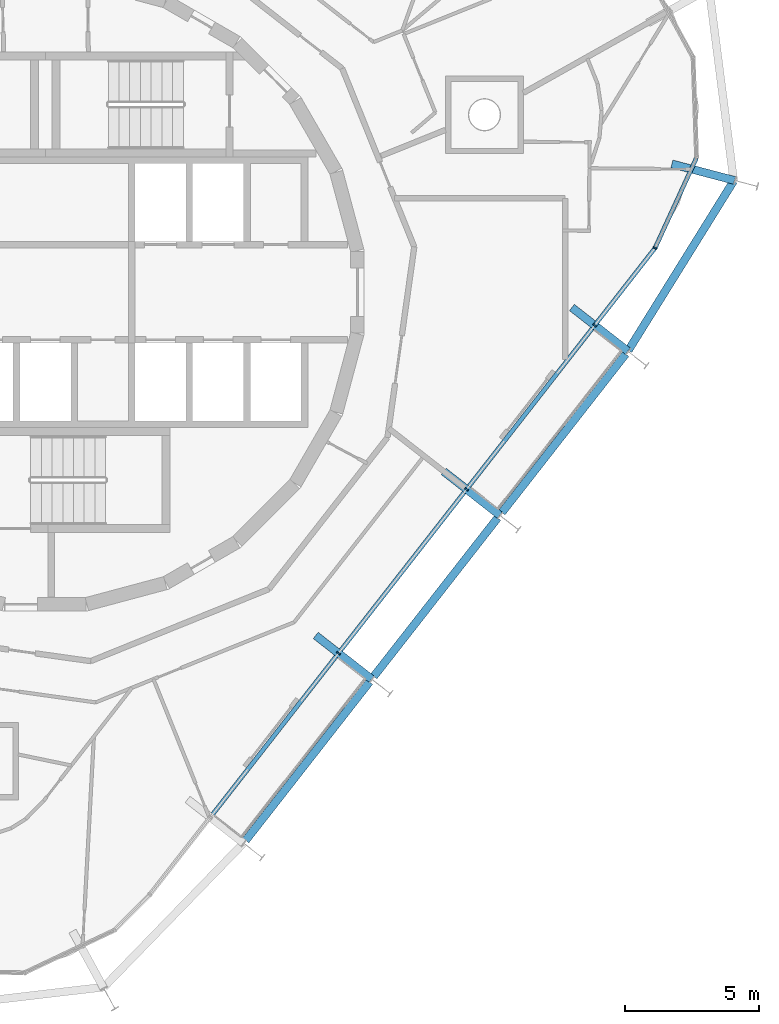
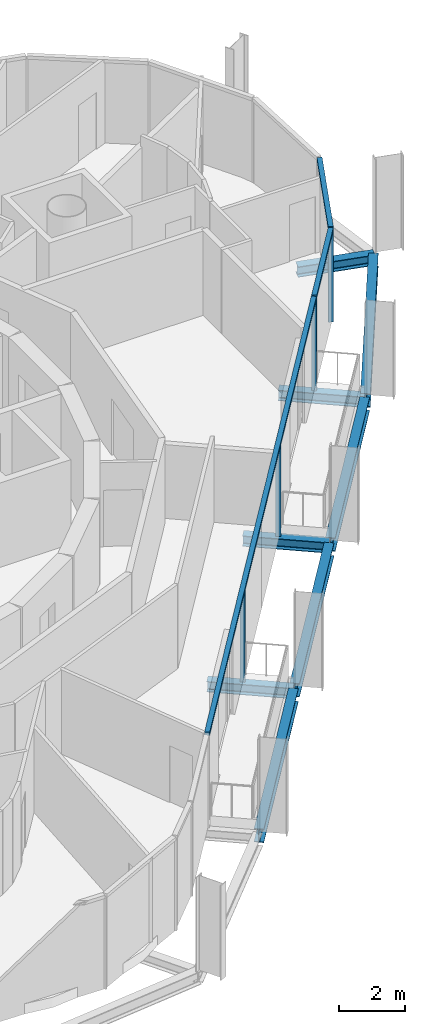
# One storey, part 4 of 15: 8 beams, 7 members, 2 elements without a shape of their own.
"""IFC4 building model written with IfcOpenShell, lengths in metres."""

from ifc_helpers import new_model, si_unit, direction, frame, origin, origin_2d, place, context, subcontext, project, spatial, rectangle, i_section, extrude, material, layer, layer_set, material_profile, profile_set, type_object, element, aggregate, save


model = new_model("IFC4")

# Units and contexts
model_context = context("Model", 3, precision=1e-05, world=origin(), true_north=direction((0.0, 1.0)))
body_context = subcontext(model_context, "Body", "Model", "MODEL_VIEW")
ifc_project = project(units=[si_unit("LENGTHUNIT", "METRE"), si_unit("AREAUNIT", "SQUARE_METRE"), si_unit("VOLUMEUNIT", "CUBIC_METRE"), si_unit("PLANEANGLEUNIT", "RADIAN"), si_unit("MASSUNIT", "GRAM", prefix="KILO")], contexts=[model_context])

# Site, building, storey
site_placement = place(None, origin())
site = spatial("IfcSite", under=ifc_project, at=site_placement, CompositionType="ELEMENT")
building_placement = place(site_placement, origin())
building = spatial("IfcBuilding", under=site, at=building_placement, Name="Spindle Arch Residences", CompositionType="ELEMENT")
storey_placement = place(building_placement, frame((0.0, 0.0, 354.0)))
storey = spatial("IfcBuildingStorey", under=building, at=storey_placement, Name="L91", CompositionType="ELEMENT", Elevation=354.0)

# Curtain wall, members
ifc_material_1 = material(Name="Aluminium bronze unitised frame with tinted glass", Category="aluminium")
ifc_layer_1 = layer(ifc_material_1, 0.159912109375)
ifc_layer_set_1 = layer_set([ifc_layer_1], Name="CW-D corner wall on the fillet arcs")
curtain_wall_type_1 = type_object("IfcCurtainWallType", Name="CW-D corner wall on the fillet arcs", PredefinedType="NOTDEFINED", material=ifc_layer_set_1)
curtain_wall_1_placement = place(storey_placement, origin())
curtain_wall_1 = element("IfcCurtainWall", 1, at=curtain_wall_1_placement, inside=storey, type_object=curtain_wall_type_1, Name="CW-D L91 run 1", PredefinedType="NOTDEFINED")
ifc_material_2 = material(Name="Aluminium bronze anodised mullion", Category="aluminium")
ifc_material_profile_1 = material_profile(ifc_material_2, rectangle(XDim=0.159912109375, YDim=0.06005859375, at=origin_2d()), Name="MU 60x160")
ifc_profile_set_1 = profile_set([ifc_material_profile_1], Name="Aluminium bronze anodised mullion")
member_type_1 = type_object("IfcMemberType", Name="Bronze mullion 60x160", PredefinedType="MULLION", material=ifc_profile_set_1)
member_1_placement = place(storey_placement, frame((20.50341796875, -1.237060546875, -0.3798828125), z_axis=(0.0, 0.0, 1.0), x_axis=(-0.788010753607, 0.615661475326, 0.0)))
member_1 = element("IfcMember", 2, at=member_1_placement, type_object=member_type_1, Name="CW-D mullion 00", PredefinedType="MULLION", context=body_context, shape_type="SweptSolid", body=[
    extrude(rectangle(XDim=0.159912109375, YDim=0.06005859375, at=origin_2d()), origin(), (0.0, 0.0, 1.0), 3.3798828125),
])
member_2_placement = place(storey_placement, frame((22.7568359375, 1.647216796875, -0.3798828125), z_axis=(0.0, 0.0, 1.0), x_axis=(-0.908751129947, 0.417338452362, 0.0)))
member_2 = element("IfcMember", 3, at=member_2_placement, type_object=member_type_1, Name="CW-D mullion 01", PredefinedType="MULLION", context=body_context, shape_type="SweptSolid", body=[
    extrude(rectangle(XDim=0.159912109375, YDim=0.06005859375, at=origin_2d()), origin(), (0.0, 0.0, 1.0), 3.3798828125),
])

ifc_material_3 = material(Name="Aluminium bronze unitised frame with tinted glass", Category="aluminium")
ifc_layer_2 = layer(ifc_material_3, 0.159912109375)
ifc_layer_set_2 = layer_set([ifc_layer_2], Name="CW-C typical residential unitised wall")
curtain_wall_type_2 = type_object("IfcCurtainWallType", Name="CW-C typical residential unitised wall", PredefinedType="NOTDEFINED", material=ifc_layer_set_2)
curtain_wall_2_placement = place(storey_placement, origin())
curtain_wall_2 = element("IfcCurtainWall", 4, at=curtain_wall_2_placement, inside=storey, type_object=curtain_wall_type_2, Name="CW-C L91 run 6", PredefinedType="NOTDEFINED")
member_3_placement = place(storey_placement, frame((10.94140625, -13.4755859375, -0.3798828125), z_axis=(0.0, 0.0, 1.0), x_axis=(-0.788010753607, 0.615661475326, 0.0)))
member_3 = element("IfcMember", 5, at=member_3_placement, type_object=member_type_1, Name="CW-C mullion 19", PredefinedType="MULLION", context=body_context, shape_type="SweptSolid", body=[
    extrude(rectangle(XDim=0.159912109375, YDim=0.06005859375, at=origin_2d()), origin(), (0.0, 0.0, 1.0), 3.3798828125),
])
member_4_placement = place(storey_placement, frame((15.722412109375, -7.3564453125, -0.3798828125), z_axis=(0.0, 0.0, 1.0), x_axis=(-0.788010753607, 0.615661475326, 0.0)))
member_4 = element("IfcMember", 6, at=member_4_placement, type_object=member_type_1, Name="CW-C mullion 00", PredefinedType="MULLION", context=body_context, shape_type="SweptSolid", body=[
    extrude(rectangle(XDim=0.159912109375, YDim=0.06005859375, at=origin_2d()), origin(), (0.0, 0.0, 1.0), 3.3798828125),
])

# Member
ifc_material_4 = material(Name="Aluminium bronze anodised transom", Category="aluminium")
ifc_material_profile_2 = material_profile(ifc_material_4, rectangle(XDim=0.159912109375, YDim=0.1201171875, at=origin_2d()), Name="TR 120x160")
ifc_profile_set_2 = profile_set([ifc_material_profile_2], Name="Aluminium bronze anodised transom")
member_type_2 = type_object("IfcMemberType", Name="Bronze transom 120x160", PredefinedType="USERDEFINED", material=ifc_profile_set_2)
member_5_placement = place(storey_placement, frame((20.521728515625, -1.21337890625, 3.06005859375), z_axis=(0.615647989673, 0.788021289568, 0.0), x_axis=(-0.788021289568, 0.615647989673, 0.0)))
member_5 = element("IfcMember", 7, at=member_5_placement, type_object=member_type_2, Name="CW-D transom 00", ObjectType="TRANSOM", PredefinedType="USERDEFINED", context=body_context, shape_type="SweptSolid", body=[
    extrude(rectangle(XDim=0.159912109375, YDim=0.1201171875, at=origin_2d()), origin(), (0.0, 0.0, 1.0), 3.600341796875),
])

member_6_placement = place(storey_placement, frame((22.769287109375, 1.674560546875, 3.06005859375), z_axis=(0.417326323855, 0.908756699792, 0.0), x_axis=(-0.908756699792, 0.417326323855, 0.0)))
member_6 = element("IfcMember", 8, at=member_6_placement, type_object=member_type_2, Name="CW-D transom 01", ObjectType="TRANSOM", PredefinedType="USERDEFINED", context=body_context, shape_type="SweptSolid", body=[
    extrude(rectangle(XDim=0.159912109375, YDim=0.1201171875, at=origin_2d()), origin(), (0.0, 0.0, 1.0), 3.666748046875),
])

aggregate(curtain_wall_1, [member_1, member_5, member_2, member_6])

member_7_placement = place(storey_placement, frame((6.178955078125, -19.571533203125, 3.06005859375), z_axis=(0.615655051857, 0.788015772128, 0.0), x_axis=(-0.788015772128, 0.615655051857, 0.0)))
member_7 = element("IfcMember", 9, at=member_7_placement, type_object=member_type_2, Name="CW-C transom 00", ObjectType="TRANSOM", PredefinedType="USERDEFINED", context=body_context, shape_type="SweptSolid", body=[
    extrude(rectangle(XDim=0.159912109375, YDim=0.1201171875, at=origin_2d()), origin(), (0.0, 0.0, 1.0), 23.23681640625),
])

aggregate(curtain_wall_2, [member_7, member_3, member_4])

# Beams
ifc_material_5 = material(Name="Steel S460ML, intumescent coating R 120", Category="steel")
ifc_material_profile_3 = material_profile(ifc_material_5, i_section(OverallWidth=0.300048828125, OverallDepth=0.5, WebThickness=0.014404296875, FlangeThickness=0.028076171875, FilletRadius=0.027099609375, at=origin_2d()), Name="HEB 500")
ifc_profile_set_3 = profile_set([ifc_material_profile_3], Name="Steel S460ML, intumescent coating R 120")
beam_type_1 = type_object("IfcBeamType", Name="Exoskeleton edge beam HEB 500", PredefinedType="BEAM", material=ifc_profile_set_3)
beam_1_placement = place(storey_placement, frame((17.03955078125, -8.220458984375, -0.6298828125), z_axis=(0.615652879069, 0.788017469663, 0.0), x_axis=(-0.788017469663, 0.615652879069, 0.0)))
element("IfcBeam", 10, at=beam_1_placement, inside=storey, type_object=beam_type_1, Name="Exoskeleton edge beam 1", PredefinedType="BEAM", context=body_context, shape_type="SweptSolid", body=[
    extrude(i_section(OverallWidth=0.300048828125, OverallDepth=0.5, WebThickness=0.014404296875, FlangeThickness=0.028076171875, FilletRadius=0.027099609375, at=origin_2d()), origin(), (0.0, 0.0, 1.0), 7.505615234375),
])
beam_2_placement = place(storey_placement, frame((21.760498046875, -2.17041015625, -0.6298828125), z_axis=(0.527890607505, 0.849312372751, 0.0), x_axis=(-0.849312372751, 0.527890607505, 0.0)))
element("IfcBeam", 11, at=beam_2_placement, inside=storey, type_object=beam_type_1, Name="Exoskeleton edge beam 2", PredefinedType="BEAM", context=body_context, shape_type="SweptSolid", body=[
    extrude(i_section(OverallWidth=0.300048828125, OverallDepth=0.5, WebThickness=0.014404296875, FlangeThickness=0.028076171875, FilletRadius=0.027099609375, at=origin_2d()), origin(), (0.0, 0.0, 1.0), 7.437744140625),
])
for number, where, z_axis, x_axis, name in (
    (12, (7.4775390625, -20.459228515625, -0.6298828125), (0.615673077274, 0.788001689034, 0.0), (-0.788001689034, 0.615673077274, 0.0), "Exoskeleton edge beam 19"),
    (13, (12.258544921875, -14.33984375, -0.6298828125), (0.615673077274, 0.788001689034, 0.0), (-0.788001689034, 0.615673077274, 0.0), "Exoskeleton edge beam 20"),
):
    element("IfcBeam", number, at=place(storey_placement, frame(where, z_axis=z_axis, x_axis=x_axis)), inside=storey, type_object=beam_type_1, Name=name, PredefinedType="BEAM", context=body_context, shape_type="SweptSolid", body=[
        extrude(i_section(OverallWidth=0.300048828125, OverallDepth=0.5, WebThickness=0.014404296875, FlangeThickness=0.028076171875, FilletRadius=0.027099609375, at=origin_2d()), origin(), (0.0, 0.0, 1.0), 7.505859375),
    ])
ifc_material_6 = material(Name="Steel S460ML, intumescent coating R 120", Category="steel")
ifc_material_profile_4 = material_profile(ifc_material_6, i_section(OverallWidth=0.300048828125, OverallDepth=0.389892578125, WebThickness=0.010986328125, FlangeThickness=0.01904296875, FilletRadius=0.027099609375, at=origin_2d()), Name="HEA 400")
ifc_profile_set_4 = profile_set([ifc_material_profile_4], Name="Steel S460ML, intumescent coating R 120")
beam_type_2 = type_object("IfcBeamType", Name="Floor outrigger HEA 400", PredefinedType="BEAM", material=ifc_profile_set_4)
beam_3_placement = place(storey_placement, frame((16.959716796875, -8.322998046875, -0.574951171875), z_axis=(-0.788015993799, 0.615654768127, 0.0), x_axis=(-0.615654768127, -0.788015993799, 0.0)))
element("IfcBeam", 14, at=beam_3_placement, inside=storey, type_object=beam_type_2, Name="Floor outrigger 1", PredefinedType="BEAM", context=body_context, shape_type="SweptSolid", body=[
    extrude(i_section(OverallWidth=0.300048828125, OverallDepth=0.389892578125, WebThickness=0.010986328125, FlangeThickness=0.01904296875, FilletRadius=0.027099609375, at=origin_2d()), origin(), (0.0, 0.0, 1.0), 2.650146484375),
])
beam_4_placement = place(storey_placement, frame((21.740478515625, -2.20361328125, -0.574951171875), z_axis=(-0.787981072726, 0.615699463233, 0.0), x_axis=(-0.615699463233, -0.787981072726, 0.0)))
element("IfcBeam", 15, at=beam_4_placement, inside=storey, type_object=beam_type_2, Name="Floor outrigger 2", PredefinedType="BEAM", context=body_context, shape_type="SweptSolid", body=[
    extrude(i_section(OverallWidth=0.300048828125, OverallDepth=0.389892578125, WebThickness=0.010986328125, FlangeThickness=0.01904296875, FilletRadius=0.027099609375, at=origin_2d()), origin(), (0.0, 0.0, 1.0), 2.64990234375),
])
beam_5_placement = place(storey_placement, frame((25.723388671875, 4.17138671875, -0.574951171875), z_axis=(-0.967207729223, 0.253986630616, 0.0), x_axis=(-0.253986630616, -0.967207729223, 0.0)))
element("IfcBeam", 16, at=beam_5_placement, inside=storey, type_object=beam_type_2, Name="Floor outrigger 3", PredefinedType="BEAM", context=body_context, shape_type="SweptSolid", body=[
    extrude(i_section(OverallWidth=0.300048828125, OverallDepth=0.389892578125, WebThickness=0.010986328125, FlangeThickness=0.01904296875, FilletRadius=0.027099609375, at=origin_2d()), origin(), (0.0, 0.0, 1.0), 2.41943359375),
])
beam_6_placement = place(storey_placement, frame((12.1787109375, -14.4423828125, -0.574951171875), z_axis=(-0.788015993799, 0.615654768127, 0.0), x_axis=(-0.615654768127, -0.788015993799, 0.0)))
element("IfcBeam", 17, at=beam_6_placement, inside=storey, type_object=beam_type_2, Name="Floor outrigger 20", PredefinedType="BEAM", context=body_context, shape_type="SweptSolid", body=[
    extrude(i_section(OverallWidth=0.300048828125, OverallDepth=0.389892578125, WebThickness=0.010986328125, FlangeThickness=0.01904296875, FilletRadius=0.027099609375, at=origin_2d()), origin(), (0.0, 0.0, 1.0), 2.650146484375),
])

save(model, "model.ifc")
